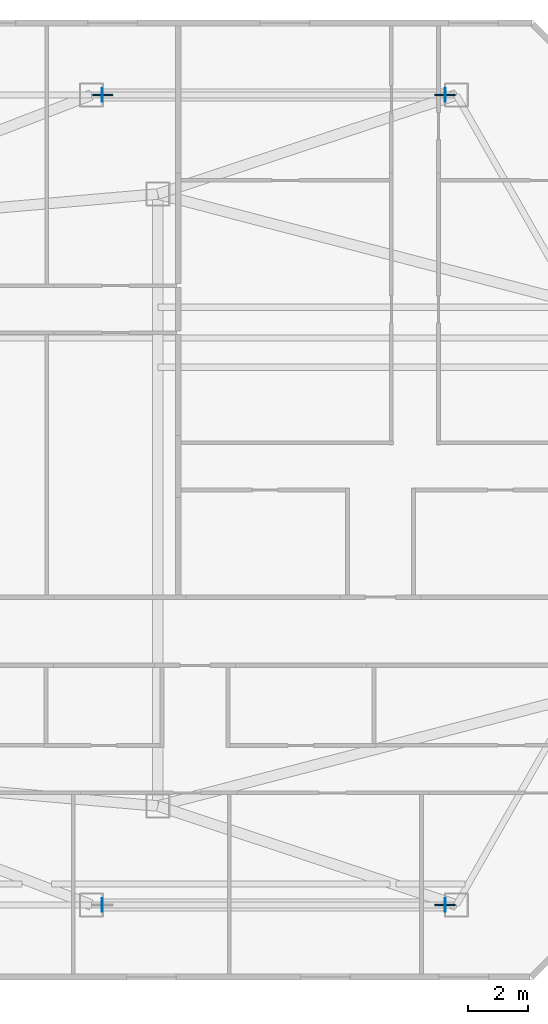
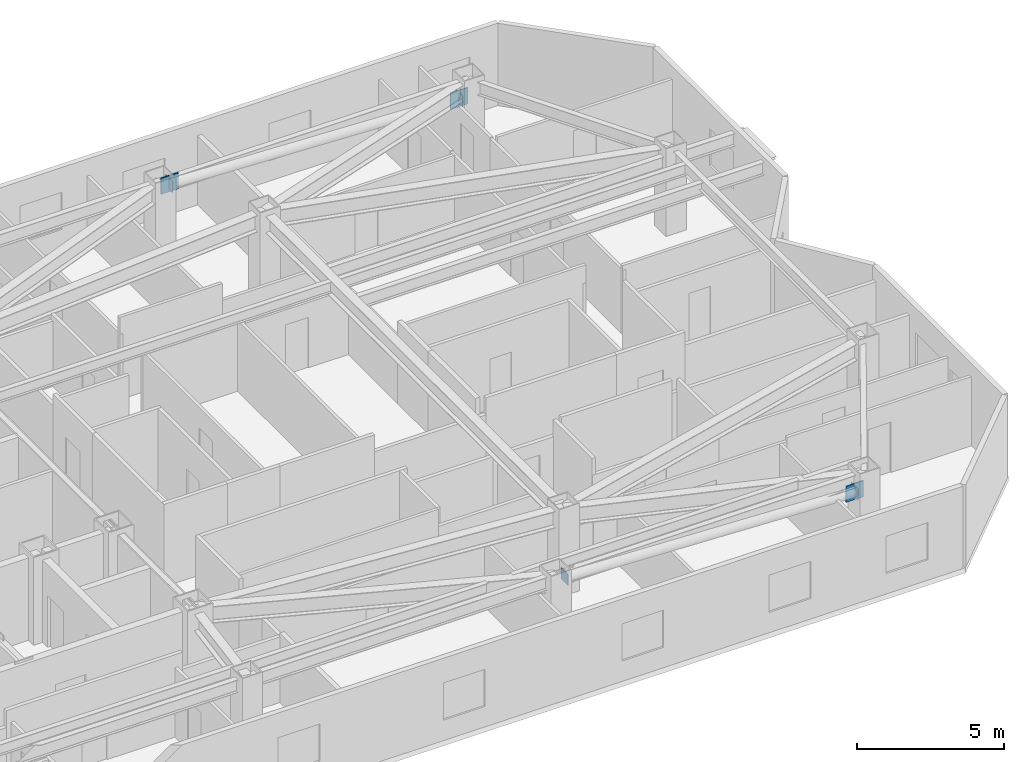
# One storey, part 3 of 10: 7 plates.
"""IFC4 building model written with IfcOpenShell, lengths in metres."""

from ifc_helpers import new_model, si_unit, direction, frame, origin, origin_2d, place, context, subcontext, project, spatial, rectangle, extrude, material, layer, layer_set, type_object, element, save


model = new_model("IFC4")

# Units and contexts
model_context = context("Model", 3, precision=1e-05, world=origin(), true_north=direction((0.0, 1.0)))
body_context = subcontext(model_context, "Body", "Model", "MODEL_VIEW")
ifc_project = project(units=[si_unit("LENGTHUNIT", "METRE"), si_unit("AREAUNIT", "SQUARE_METRE"), si_unit("VOLUMEUNIT", "CUBIC_METRE"), si_unit("PLANEANGLEUNIT", "RADIAN"), si_unit("MASSUNIT", "GRAM", prefix="KILO")], contexts=[model_context])

# Site, building, storey
site_placement = place(None, origin())
site = spatial("IfcSite", under=ifc_project, at=site_placement, CompositionType="ELEMENT")
building_placement = place(site_placement, origin())
building = spatial("IfcBuilding", under=site, at=building_placement, Name="Khamvora Tower", CompositionType="ELEMENT")
storey_placement = place(building_placement, frame((0.0, 0.0, 246.39990234375)))
storey = spatial("IfcBuildingStorey", under=building, at=storey_placement, Name="L63", CompositionType="ELEMENT", Elevation=246.39990234375)

# Plates
ifc_material_1 = material(Name="Steel S355", Category="steel")
ifc_layer_1 = layer(ifc_material_1, 0.02490234375)
ifc_layer_set_1 = layer_set([ifc_layer_1], Name="Steel S355")
plate_type_1 = type_object("IfcPlateType", Name="PL-CAP-25", PredefinedType="SHEET", material=ifc_layer_set_1)
for number, where, z_axis, x_axis, name in (
    (1, (62.882080078125, 14.5, 2.4619140625), (0.0, 0.0, 1.0), (-1.0, 0.0, 0.0), "L63 hollow section steel end cap plate 1162"),
    (2, (51.450927734375, 14.5, 2.916015625), (0.0, 0.0, 1.0), (-1.0, 0.0, 0.0), "L63 hollow section steel end cap plate 1163"),
    (3, (62.882080078125, 41.5, 2.4619140625), (0.0, 0.0, 1.0), (-1.0, 0.0, 0.0), "L63 hollow section steel end cap plate 1164"),
    (4, (51.450927734375, 41.5, 2.916015625), (0.0, 0.0, 1.0), (-1.0, 0.0, 0.0), "L63 hollow section steel end cap plate 1165"),
):
    element("IfcPlate", number, at=place(storey_placement, frame(where, z_axis=z_axis, x_axis=x_axis)), inside=storey, type_object=plate_type_1, Name=name, PredefinedType="SHEET", context=body_context, shape_type="SweptSolid", body=[
        extrude(rectangle(XDim=0.02490234375, YDim=0.466064453125, at=origin_2d()), origin(), (0.0, 0.0, 1.0), 0.466064453125),
    ])
ifc_material_2 = material(Name="Steel S460", Category="steel")
ifc_layer_2 = layer(ifc_material_2, 0.0400390625)
ifc_layer_set_2 = layer_set([ifc_layer_2], Name="Steel S460")
plate_type_2 = type_object("IfcPlateType", Name="PLT-GUS-40", PredefinedType="SHEET", material=ifc_layer_set_2)
for number, where, z_axis, x_axis, name in (
    (5, (62.8701171875, 14.5, 2.35498046875), (0.0, 0.0, 1.0), (1.0, 0.0, 0.0), "L63 brace connection node gusset plate 0405"),
    (6, (62.8701171875, 41.5, 2.35498046875), (0.0, 0.0, 1.0), (1.0, 0.0, 0.0), "L63 brace connection node gusset plate 0407"),
    (7, (51.462890625, 41.5, 2.80908203125), (0.0, 0.0, 1.0), (1.0, 0.0, 0.0), "L63 brace connection node gusset plate 0408"),
):
    element("IfcPlate", number, at=place(storey_placement, frame(where, z_axis=z_axis, x_axis=x_axis)), inside=storey, type_object=plate_type_2, Name=name, PredefinedType="SHEET", context=body_context, shape_type="SweptSolid", body=[
        extrude(rectangle(XDim=0.679931640625, YDim=0.0400390625, at=origin_2d()), origin(), (0.0, 0.0, 1.0), 0.679931640625),
    ])

save(model, "model.ifc")
